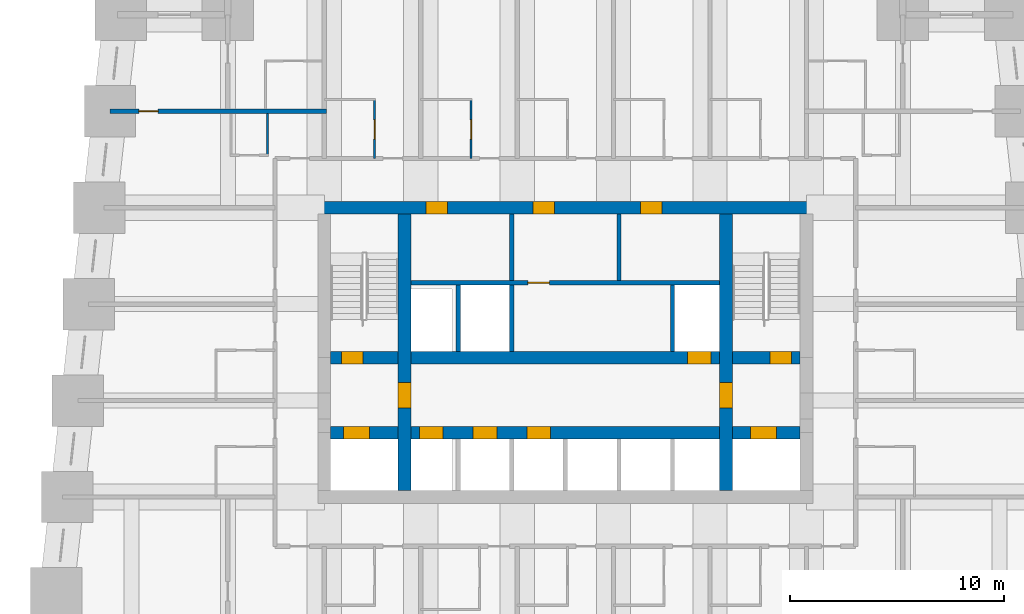
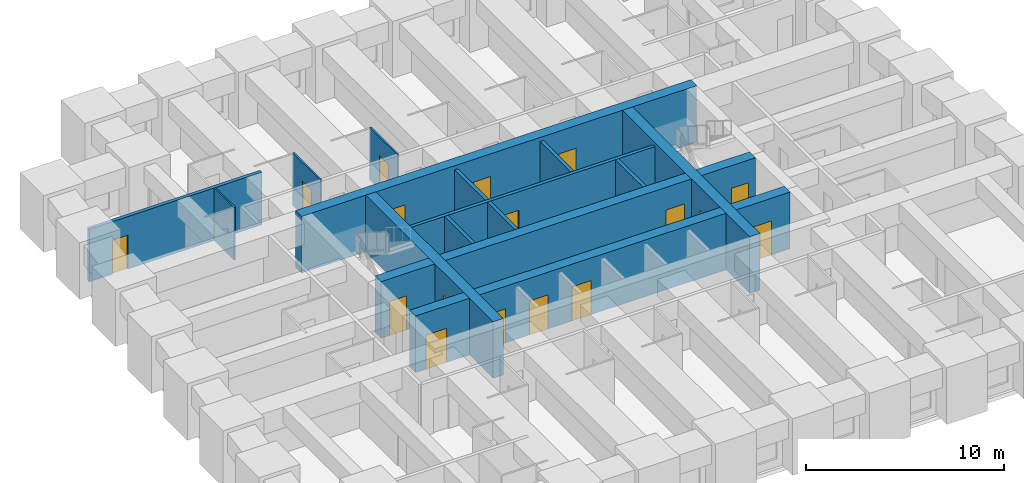
# One storey, part 4 of 8: 17 doors, 15 walls, 17 openings.
"""IFC4 building model written with IfcOpenShell, lengths in metres."""

from ifc_helpers import new_model, si_unit, direction, frame, frame_2d, origin, place, context, subcontext, project, spatial, rectangle, extrude, material, layer, layer_set, type_object, element, fill, save


model = new_model("IFC4")

# Units and contexts
model_context = context("Model", 3, precision=1e-05, world=origin(), true_north=direction((0.0, 1.0)))
body_context = subcontext(model_context, "Body", "Model", "MODEL_VIEW")
ifc_project = project(units=[si_unit("LENGTHUNIT", "METRE"), si_unit("AREAUNIT", "SQUARE_METRE"), si_unit("VOLUMEUNIT", "CUBIC_METRE"), si_unit("PLANEANGLEUNIT", "RADIAN"), si_unit("MASSUNIT", "GRAM", prefix="KILO")], contexts=[model_context])

# Site, building, storey
site_placement = place(None, origin())
site = spatial("IfcSite", under=ifc_project, at=site_placement, CompositionType="ELEMENT")
building_placement = place(site_placement, origin())
building = spatial("IfcBuilding", under=site, at=building_placement, Name="Kilele Tower Hotel", CompositionType="ELEMENT")
storey_placement = place(building_placement, frame((0.0, 0.0, 29.699951171875)))
storey = spatial("IfcBuildingStorey", under=building, at=storey_placement, Name="L05", CompositionType="ELEMENT", Elevation=29.699951171875)

# Wall, opening, door
ifc_material_1 = material(Name="Moisture-resistant board")
ifc_layer_1 = layer(ifc_material_1, 0.10009765625)
ifc_layer_set_1 = layer_set([ifc_layer_1], Name="Moisture-resistant board")
wall_type_1 = type_object("IfcWallType", Name="Bathroom partition 100", PredefinedType="PLUMBINGWALL", material=ifc_layer_set_1)
wall_1_placement = place(storey_placement, frame((15.85009765625, 29.300048828125, 0.0), z_axis=(0.0, 0.0, 1.0), x_axis=(0.0, 1.0, 0.0)))
wall_1 = element("IfcWall", 1, at=wall_1_placement, inside=storey, type_object=wall_type_1, Name="Bathroom partition 100 L05", PredefinedType="PLUMBINGWALL", context=body_context, shape_type="SweptSolid", body=[
    extrude(rectangle(XDim=2.800048828125, YDim=0.10009765625, at=frame_2d((1.39990234375, 0.0))), origin(), (0.0, 0.0, 1.0), 3.25),
])
opening_1_placement = place(wall_1_placement, frame((1.7998046875, 0.0, 0.0), z_axis=(0.0, 0.0, 1.0), x_axis=(-1.0, 0.0, 0.0)))
opening_1 = element("IfcOpeningElement", 2, at=opening_1_placement, cuts=wall_1, Name="Opening D2A", PredefinedType="OPENING", context=body_context, shape_type="SweptSolid", body=[
    extrude(rectangle(XDim=0.89990234375, YDim=2.10009765625, at=frame_2d((0.449951171875, 1.050048828125))), frame((0.0, 0.06005859375, 0.0), z_axis=(0.0, -1.0, 0.0), x_axis=(1.0, 0.0, 0.0)), (0.0, 0.0, 1.0), 0.1201171875),
])
ifc_material_2 = material(Name="Timber door leaf in hardwood frame", Category="wood")
door_type_1 = type_object("IfcDoorType", Name="Bathroom door 900", OperationType="SINGLE_SWING_LEFT", PredefinedType="DOOR", material=ifc_material_2)
door_1_placement = place(opening_1_placement, origin())
door_1 = element("IfcDoor", 3, at=door_1_placement, inside=storey, type_object=door_type_1, Name="Bathroom door 0509B", OperationType="SINGLE_SWING_RIGHT", OverallHeight=2.10009765625, OverallWidth=0.89990234375, PredefinedType="DOOR", context=body_context, shape_type="SweptSolid", body=[
    extrude(rectangle(XDim=0.89990234375, YDim=2.10009765625, at=frame_2d((0.449951171875, 1.050048828125))), frame((0.0, 0.02490234375, 0.0), z_axis=(0.0, -1.0, 0.0), x_axis=(1.0, 0.0, 0.0)), (0.0, 0.0, 1.0), 0.050048828125),
])
fill(opening_1, door_1)

wall_2_placement = place(storey_placement, frame((20.35009765625, 29.300048828125, 0.0), z_axis=(0.0, 0.0, 1.0), x_axis=(0.0, 1.0, 0.0)))
wall_2 = element("IfcWall", 4, at=wall_2_placement, inside=storey, type_object=wall_type_1, Name="Bathroom partition 100 L05", PredefinedType="PLUMBINGWALL", context=body_context, shape_type="SweptSolid", body=[
    extrude(rectangle(XDim=2.800048828125, YDim=0.10009765625, at=frame_2d((1.39990234375, 0.0))), origin(), (0.0, 0.0, 1.0), 3.25),
])
opening_2_placement = place(wall_2_placement, frame((1.7998046875, 0.0, 0.0), z_axis=(0.0, 0.0, 1.0), x_axis=(-1.0, 0.0, 0.0)))
opening_2 = element("IfcOpeningElement", 5, at=opening_2_placement, cuts=wall_2, Name="Opening D2A", PredefinedType="OPENING", context=body_context, shape_type="SweptSolid", body=[
    extrude(rectangle(XDim=0.89990234375, YDim=2.10009765625, at=frame_2d((0.449951171875, 1.050048828125))), frame((0.0, 0.06005859375, 0.0), z_axis=(0.0, -1.0, 0.0), x_axis=(1.0, 0.0, 0.0)), (0.0, 0.0, 1.0), 0.1201171875),
])
door_2_placement = place(opening_2_placement, origin())
door_2 = element("IfcDoor", 6, at=door_2_placement, inside=storey, type_object=door_type_1, Name="Bathroom door 0510B", OperationType="SINGLE_SWING_RIGHT", OverallHeight=2.10009765625, OverallWidth=0.89990234375, PredefinedType="DOOR", context=body_context, shape_type="SweptSolid", body=[
    extrude(rectangle(XDim=0.89990234375, YDim=2.10009765625, at=frame_2d((0.449951171875, 1.050048828125))), frame((0.0, 0.02490234375, 0.0), z_axis=(0.0, -1.0, 0.0), x_axis=(1.0, 0.0, 0.0)), (0.0, 0.0, 1.0), 0.050048828125),
])
fill(opening_2, door_2)

# Wall
wall_3_placement = place(storey_placement, frame((10.85009765625, 31.39990234375, 0.0), z_axis=(0.0, 0.0, 1.0), x_axis=(0.0, -1.0, 0.0)))
element("IfcWall", 7, at=wall_3_placement, inside=storey, type_object=wall_type_1, Name="Bathroom partition 100 L05", PredefinedType="PLUMBINGWALL", context=body_context, shape_type="SweptSolid", body=[
    extrude(rectangle(XDim=2.0, YDim=0.10009765625, at=frame_2d((1.0, 0.0))), origin(), (0.0, 0.0, 1.0), 3.25),
])

# Wall, openings, doors
ifc_material_3 = material(Name="Concrete C60/75", Category="concrete")
ifc_layer_2 = layer(ifc_material_3, 0.60009765625)
ifc_layer_set_2 = layer_set([ifc_layer_2], Name="Concrete C60/75")
wall_type_2 = type_object("IfcWallType", Name="Core wall 600 C60/75", PredefinedType="SHEAR", material=ifc_layer_set_2)
wall_4_placement = place(storey_placement, frame((36.300048828125, 27.0, 0.0), z_axis=(0.0, 0.0, 1.0), x_axis=(-1.0, 0.0, 0.0)))
wall_4 = element("IfcWall", 8, at=wall_4_placement, inside=storey, type_object=wall_type_2, Name="Core wall N L05", PredefinedType="SHEAR", context=body_context, shape_type="SweptSolid", body=[
    extrude(rectangle(XDim=23.10009765625, YDim=0.60009765625, at=frame_2d((11.550048828125, 0.0))), origin(), (0.0, 0.0, 1.0), 3.5),
])
opening_3_placement = place(wall_4_placement, frame((17.050048828125, 0.0, 0.0)))
opening_3 = element("IfcOpeningElement", 9, at=opening_3_placement, cuts=wall_4, Name="Opening D6", PredefinedType="OPENING", context=body_context, shape_type="SweptSolid", body=[
    extrude(rectangle(XDim=1.0, YDim=2.10009765625, at=frame_2d((0.5, 1.050048828125))), frame((0.0, 0.31005859375, 0.0), z_axis=(0.0, -1.0, 0.0), x_axis=(1.0, 0.0, 0.0)), (0.0, 0.0, 1.0), 0.6201171875),
])
opening_4_placement = place(wall_4_placement, frame((12.050048828125, 0.0, 0.0)))
opening_4 = element("IfcOpeningElement", 10, at=opening_4_placement, cuts=wall_4, Name="Opening D6", PredefinedType="OPENING", context=body_context, shape_type="SweptSolid", body=[
    extrude(rectangle(XDim=1.0, YDim=2.10009765625, at=frame_2d((0.5, 1.050048828125))), frame((0.0, 0.31005859375, 0.0), z_axis=(0.0, -1.0, 0.0), x_axis=(1.0, 0.0, 0.0)), (0.0, 0.0, 1.0), 0.6201171875),
])
opening_5_placement = place(wall_4_placement, frame((7.050048828125, 0.0, 0.0)))
opening_5 = element("IfcOpeningElement", 11, at=opening_5_placement, cuts=wall_4, Name="Opening D6", PredefinedType="OPENING", context=body_context, shape_type="SweptSolid", body=[
    extrude(rectangle(XDim=1.0, YDim=2.10009765625, at=frame_2d((0.5, 1.050048828125))), frame((0.0, 0.31005859375, 0.0), z_axis=(0.0, -1.0, 0.0), x_axis=(1.0, 0.0, 0.0)), (0.0, 0.0, 1.0), 0.6201171875),
])
ifc_material_4 = material(Name="Timber door leaf in hardwood frame", Category="wood")
door_type_2 = type_object("IfcDoorType", Name="Riser door 1000", OperationType="SINGLE_SWING_LEFT", PredefinedType="DOOR", material=ifc_material_4)
door_3_placement = place(opening_3_placement, origin())
door_3 = element("IfcDoor", 12, at=door_3_placement, inside=storey, type_object=door_type_2, Name="Service riser door L05", OperationType="SINGLE_SWING_RIGHT", OverallHeight=2.10009765625, OverallWidth=1.0, PredefinedType="DOOR", context=body_context, shape_type="SweptSolid", body=[
    extrude(rectangle(XDim=1.0, YDim=2.10009765625, at=frame_2d((0.5, 1.050048828125))), frame((0.0, 0.2998046875, 0.0), z_axis=(0.0, -1.0, 0.0), x_axis=(1.0, 0.0, 0.0)), (0.0, 0.0, 1.0), 0.599609375),
])
fill(opening_3, door_3)
door_4_placement = place(opening_4_placement, origin())
door_4 = element("IfcDoor", 13, at=door_4_placement, inside=storey, type_object=door_type_2, Name="Linen store door L05", OperationType="SINGLE_SWING_RIGHT", OverallHeight=2.10009765625, OverallWidth=1.0, PredefinedType="DOOR", context=body_context, shape_type="SweptSolid", body=[
    extrude(rectangle(XDim=1.0, YDim=2.10009765625, at=frame_2d((0.5, 1.050048828125))), frame((0.0, 0.2998046875, 0.0), z_axis=(0.0, -1.0, 0.0), x_axis=(1.0, 0.0, 0.0)), (0.0, 0.0, 1.0), 0.599609375),
])
fill(opening_4, door_4)
door_5_placement = place(opening_5_placement, origin())
door_5 = element("IfcDoor", 14, at=door_5_placement, inside=storey, type_object=door_type_2, Name="Electrical riser door L05", OperationType="SINGLE_SWING_RIGHT", OverallHeight=2.10009765625, OverallWidth=1.0, PredefinedType="DOOR", context=body_context, shape_type="SweptSolid", body=[
    extrude(rectangle(XDim=1.0, YDim=2.10009765625, at=frame_2d((0.5, 1.050048828125))), frame((0.0, 0.2998046875, 0.0), z_axis=(0.0, -1.0, 0.0), x_axis=(1.0, 0.0, 0.0)), (0.0, 0.0, 1.0), 0.599609375),
])
fill(opening_5, door_5)

# Wall, opening, door
wall_5_placement = place(storey_placement, frame((17.25, 13.800048828125, 0.0), z_axis=(0.0, 0.0, 1.0), x_axis=(0.0, 1.0, 0.0)))
wall_5 = element("IfcWall", 15, at=wall_5_placement, inside=storey, type_object=wall_type_2, Name="Core wall IW L05", PredefinedType="SHEAR", context=body_context, shape_type="SweptSolid", body=[
    extrude(rectangle(XDim=12.89990234375, YDim=0.60009765625, at=frame_2d((6.449951171875, 0.0))), origin(), (0.0, 0.0, 1.0), 3.5),
])
opening_6_placement = place(wall_5_placement, frame((3.85009765625, 0.0, 0.0)))
opening_6 = element("IfcOpeningElement", 16, at=opening_6_placement, cuts=wall_5, Name="Opening D4", PredefinedType="OPENING", context=body_context, shape_type="SweptSolid", body=[
    extrude(rectangle(XDim=1.199951171875, YDim=2.10009765625, at=frame_2d((0.60009765625, 1.050048828125))), frame((0.0, 0.31005859375, 0.0), z_axis=(0.0, -1.0, 0.0), x_axis=(1.0, 0.0, 0.0)), (0.0, 0.0, 1.0), 0.6201171875),
])
ifc_material_5 = material(Name="Timber door leaf in hardwood frame", Category="wood")
door_type_3 = type_object("IfcDoorType", Name="Firefighting lobby door 1200", OperationType="SINGLE_SWING_LEFT", PredefinedType="DOOR", material=ifc_material_5)
door_6_placement = place(opening_6_placement, origin())
door_6 = element("IfcDoor", 17, at=door_6_placement, inside=storey, type_object=door_type_3, Name="Lobby door L05", OperationType="SINGLE_SWING_LEFT", OverallHeight=2.10009765625, OverallWidth=1.199951171875, PredefinedType="DOOR", context=body_context, shape_type="SweptSolid", body=[
    extrude(rectangle(XDim=1.199951171875, YDim=2.10009765625, at=frame_2d((0.60009765625, 1.050048828125))), frame((0.0, 0.2998046875, 0.0), z_axis=(0.0, -1.0, 0.0), x_axis=(1.0, 0.0, 0.0)), (0.0, 0.0, 1.0), 0.599609375),
])
fill(opening_6, door_6)

wall_6_placement = place(storey_placement, frame((32.25, 13.800048828125, 0.0), z_axis=(0.0, 0.0, 1.0), x_axis=(0.0, 1.0, 0.0)))
wall_6 = element("IfcWall", 18, at=wall_6_placement, inside=storey, type_object=wall_type_2, Name="Core wall IE L05", PredefinedType="SHEAR", context=body_context, shape_type="SweptSolid", body=[
    extrude(rectangle(XDim=12.89990234375, YDim=0.60009765625, at=frame_2d((6.449951171875, 0.0))), origin(), (0.0, 0.0, 1.0), 3.5),
])
opening_7_placement = place(wall_6_placement, frame((5.050048828125, 0.0, 0.0), z_axis=(0.0, 0.0, 1.0), x_axis=(-1.0, 0.0, 0.0)))
opening_7 = element("IfcOpeningElement", 19, at=opening_7_placement, cuts=wall_6, Name="Opening D4", PredefinedType="OPENING", context=body_context, shape_type="SweptSolid", body=[
    extrude(rectangle(XDim=1.199951171875, YDim=2.10009765625, at=frame_2d((0.60009765625, 1.050048828125))), frame((0.0, 0.31005859375, 0.0), z_axis=(0.0, -1.0, 0.0), x_axis=(1.0, 0.0, 0.0)), (0.0, 0.0, 1.0), 0.6201171875),
])
door_7_placement = place(opening_7_placement, origin())
door_7 = element("IfcDoor", 20, at=door_7_placement, inside=storey, type_object=door_type_3, Name="Lobby door L05", OperationType="SINGLE_SWING_RIGHT", OverallHeight=2.10009765625, OverallWidth=1.199951171875, PredefinedType="DOOR", context=body_context, shape_type="SweptSolid", body=[
    extrude(rectangle(XDim=1.199951171875, YDim=2.10009765625, at=frame_2d((0.60009765625, 1.050048828125))), frame((0.0, 0.2998046875, 0.0), z_axis=(0.0, -1.0, 0.0), x_axis=(1.0, 0.0, 0.0)), (0.0, 0.0, 1.0), 0.599609375),
])
fill(opening_7, door_7)

# Wall, openings, doors
wall_7_placement = place(storey_placement, frame((13.800048828125, 16.5, 0.0), z_axis=(0.0, 0.0, 1.0), x_axis=(1.0, 0.0, 0.0)))
wall_7 = element("IfcWall", 21, at=wall_7_placement, inside=storey, type_object=wall_type_2, Name="Core wall LS L05", PredefinedType="SHEAR", context=body_context, shape_type="SweptSolid", body=[
    extrude(rectangle(XDim=21.89990234375, YDim=0.60009765625, at=frame_2d((10.949951171875, 0.0))), origin(), (0.0, 0.0, 1.0), 3.5),
])
opening_8_placement = place(wall_7_placement, frame((4.14990234375, 0.0, 0.0)))
opening_8 = element("IfcOpeningElement", 22, at=opening_8_placement, cuts=wall_7, Name="Opening LD1", PredefinedType="OPENING", context=body_context, shape_type="SweptSolid", body=[
    extrude(rectangle(XDim=1.10009765625, YDim=2.10009765625, at=frame_2d((0.550048828125, 1.050048828125))), frame((0.0, 0.31005859375, 0.0), z_axis=(0.0, -1.0, 0.0), x_axis=(1.0, 0.0, 0.0)), (0.0, 0.0, 1.0), 0.6201171875),
])
opening_9_placement = place(wall_7_placement, frame((6.64990234375, 0.0, 0.0)))
opening_9 = element("IfcOpeningElement", 23, at=opening_9_placement, cuts=wall_7, Name="Opening LD1", PredefinedType="OPENING", context=body_context, shape_type="SweptSolid", body=[
    extrude(rectangle(XDim=1.10009765625, YDim=2.10009765625, at=frame_2d((0.550048828125, 1.050048828125))), frame((0.0, 0.31005859375, 0.0), z_axis=(0.0, -1.0, 0.0), x_axis=(1.0, 0.0, 0.0)), (0.0, 0.0, 1.0), 0.6201171875),
])
opening_10_placement = place(wall_7_placement, frame((9.14990234375, 0.0, 0.0)))
opening_10 = element("IfcOpeningElement", 24, at=opening_10_placement, cuts=wall_7, Name="Opening LD1", PredefinedType="OPENING", context=body_context, shape_type="SweptSolid", body=[
    extrude(rectangle(XDim=1.10009765625, YDim=2.10009765625, at=frame_2d((0.550048828125, 1.050048828125))), frame((0.0, 0.31005859375, 0.0), z_axis=(0.0, -1.0, 0.0), x_axis=(1.0, 0.0, 0.0)), (0.0, 0.0, 1.0), 0.6201171875),
])
opening_11_placement = place(wall_7_placement, frame((0.60009765625, 0.0, 0.0)))
opening_11 = element("IfcOpeningElement", 25, at=opening_11_placement, cuts=wall_7, Name="Opening LD2", PredefinedType="OPENING", context=body_context, shape_type="SweptSolid", body=[
    extrude(rectangle(XDim=1.199951171875, YDim=2.10009765625, at=frame_2d((0.60009765625, 1.050048828125))), frame((0.0, 0.31005859375, 0.0), z_axis=(0.0, -1.0, 0.0), x_axis=(1.0, 0.0, 0.0)), (0.0, 0.0, 1.0), 0.6201171875),
])
opening_12_placement = place(wall_7_placement, frame((19.60009765625, 0.0, 0.0)))
opening_12 = element("IfcOpeningElement", 26, at=opening_12_placement, cuts=wall_7, Name="Opening LD2", PredefinedType="OPENING", context=body_context, shape_type="SweptSolid", body=[
    extrude(rectangle(XDim=1.199951171875, YDim=2.10009765625, at=frame_2d((0.60009765625, 1.050048828125))), frame((0.0, 0.31005859375, 0.0), z_axis=(0.0, -1.0, 0.0), x_axis=(1.0, 0.0, 0.0)), (0.0, 0.0, 1.0), 0.6201171875),
])
ifc_material_6 = material(Name="Steel lift landing door", Category="steel")
door_type_4 = type_object("IfcDoorType", Name="Firefighting lift landing door 1200", OperationType="SLIDING_TO_LEFT", PredefinedType="DOOR", material=ifc_material_6)
door_8_placement = place(opening_11_placement, origin())
door_8 = element("IfcDoor", 27, at=door_8_placement, inside=storey, type_object=door_type_4, Name="Landing door FFW L05", OperationType="SLIDING_TO_LEFT", OverallHeight=2.10009765625, OverallWidth=1.199951171875, PredefinedType="DOOR", context=body_context, shape_type="SweptSolid", body=[
    extrude(rectangle(XDim=1.199951171875, YDim=2.10009765625, at=frame_2d((0.60009765625, 1.050048828125))), frame((0.0, 0.2998046875, 0.0), z_axis=(0.0, -1.0, 0.0), x_axis=(1.0, 0.0, 0.0)), (0.0, 0.0, 1.0), 0.599609375),
])
fill(opening_11, door_8)
door_9_placement = place(opening_12_placement, origin())
door_9 = element("IfcDoor", 28, at=door_9_placement, inside=storey, type_object=door_type_4, Name="Landing door FFE L05", OperationType="SLIDING_TO_LEFT", OverallHeight=2.10009765625, OverallWidth=1.199951171875, PredefinedType="DOOR", context=body_context, shape_type="SweptSolid", body=[
    extrude(rectangle(XDim=1.199951171875, YDim=2.10009765625, at=frame_2d((0.60009765625, 1.050048828125))), frame((0.0, 0.2998046875, 0.0), z_axis=(0.0, -1.0, 0.0), x_axis=(1.0, 0.0, 0.0)), (0.0, 0.0, 1.0), 0.599609375),
])
fill(opening_12, door_9)
ifc_material_7 = material(Name="Steel lift landing door", Category="steel")
door_type_5 = type_object("IfcDoorType", Name="Lift landing door 1100", OperationType="SLIDING_TO_LEFT", PredefinedType="DOOR", material=ifc_material_7)
door_10_placement = place(opening_8_placement, origin())
door_10 = element("IfcDoor", 29, at=door_10_placement, inside=storey, type_object=door_type_5, Name="Landing door L1 L05", OperationType="SLIDING_TO_LEFT", OverallHeight=2.10009765625, OverallWidth=1.10009765625, PredefinedType="DOOR", context=body_context, shape_type="SweptSolid", body=[
    extrude(rectangle(XDim=1.10009765625, YDim=2.10009765625, at=frame_2d((0.550048828125, 1.050048828125))), frame((0.0, 0.2998046875, 0.0), z_axis=(0.0, -1.0, 0.0), x_axis=(1.0, 0.0, 0.0)), (0.0, 0.0, 1.0), 0.599609375),
])
fill(opening_8, door_10)
door_11_placement = place(opening_9_placement, origin())
door_11 = element("IfcDoor", 30, at=door_11_placement, inside=storey, type_object=door_type_5, Name="Landing door L2 L05", OperationType="SLIDING_TO_LEFT", OverallHeight=2.10009765625, OverallWidth=1.10009765625, PredefinedType="DOOR", context=body_context, shape_type="SweptSolid", body=[
    extrude(rectangle(XDim=1.10009765625, YDim=2.10009765625, at=frame_2d((0.550048828125, 1.050048828125))), frame((0.0, 0.2998046875, 0.0), z_axis=(0.0, -1.0, 0.0), x_axis=(1.0, 0.0, 0.0)), (0.0, 0.0, 1.0), 0.599609375),
])
fill(opening_9, door_11)
door_12_placement = place(opening_10_placement, origin())
door_12 = element("IfcDoor", 31, at=door_12_placement, inside=storey, type_object=door_type_5, Name="Landing door L3 L05", OperationType="SLIDING_TO_LEFT", OverallHeight=2.10009765625, OverallWidth=1.10009765625, PredefinedType="DOOR", context=body_context, shape_type="SweptSolid", body=[
    extrude(rectangle(XDim=1.10009765625, YDim=2.10009765625, at=frame_2d((0.550048828125, 1.050048828125))), frame((0.0, 0.2998046875, 0.0), z_axis=(0.0, -1.0, 0.0), x_axis=(1.0, 0.0, 0.0)), (0.0, 0.0, 1.0), 0.599609375),
])
fill(opening_10, door_12)

wall_8_placement = place(storey_placement, frame((13.800048828125, 20.0, 0.0), z_axis=(0.0, 0.0, 1.0), x_axis=(1.0, 0.0, 0.0)))
wall_8 = element("IfcWall", 32, at=wall_8_placement, inside=storey, type_object=wall_type_2, Name="Core wall LN L05", PredefinedType="SHEAR", context=body_context, shape_type="SweptSolid", body=[
    extrude(rectangle(XDim=21.89990234375, YDim=0.60009765625, at=frame_2d((10.949951171875, 0.0))), origin(), (0.0, 0.0, 1.0), 3.5),
])
opening_13_placement = place(wall_8_placement, frame((0.5, 0.0, 0.0)))
opening_13 = element("IfcOpeningElement", 33, at=opening_13_placement, cuts=wall_8, Name="Opening D5", PredefinedType="OPENING", context=body_context, shape_type="SweptSolid", body=[
    extrude(rectangle(XDim=1.0, YDim=2.10009765625, at=frame_2d((0.5, 1.050048828125))), frame((0.0, 0.31005859375, 0.0), z_axis=(0.0, -1.0, 0.0), x_axis=(1.0, 0.0, 0.0)), (0.0, 0.0, 1.0), 0.6201171875),
])
opening_14_placement = place(wall_8_placement, frame((20.5, 0.0, 0.0)))
opening_14 = element("IfcOpeningElement", 34, at=opening_14_placement, cuts=wall_8, Name="Opening D5", PredefinedType="OPENING", context=body_context, shape_type="SweptSolid", body=[
    extrude(rectangle(XDim=1.0, YDim=2.10009765625, at=frame_2d((0.5, 1.050048828125))), frame((0.0, 0.31005859375, 0.0), z_axis=(0.0, -1.0, 0.0), x_axis=(1.0, 0.0, 0.0)), (0.0, 0.0, 1.0), 0.6201171875),
])
opening_15_placement = place(wall_8_placement, frame((16.64990234375, 0.0, 0.0)))
opening_15 = element("IfcOpeningElement", 35, at=opening_15_placement, cuts=wall_8, Name="Opening LD1", PredefinedType="OPENING", context=body_context, shape_type="SweptSolid", body=[
    extrude(rectangle(XDim=1.10009765625, YDim=2.10009765625, at=frame_2d((0.550048828125, 1.050048828125))), frame((0.0, 0.31005859375, 0.0), z_axis=(0.0, -1.0, 0.0), x_axis=(1.0, 0.0, 0.0)), (0.0, 0.0, 1.0), 0.6201171875),
])
door_13_placement = place(opening_15_placement, origin())
door_13 = element("IfcDoor", 36, at=door_13_placement, inside=storey, type_object=door_type_5, Name="Landing door G1 L05", OperationType="SLIDING_TO_LEFT", OverallHeight=2.10009765625, OverallWidth=1.10009765625, PredefinedType="DOOR", context=body_context, shape_type="SweptSolid", body=[
    extrude(rectangle(XDim=1.10009765625, YDim=2.10009765625, at=frame_2d((0.550048828125, 1.050048828125))), frame((0.0, 0.2998046875, 0.0), z_axis=(0.0, -1.0, 0.0), x_axis=(1.0, 0.0, 0.0)), (0.0, 0.0, 1.0), 0.599609375),
])
fill(opening_15, door_13)
ifc_material_8 = material(Name="Timber door leaf in hardwood frame", Category="wood")
door_type_6 = type_object("IfcDoorType", Name="Stair door 1000", OperationType="SINGLE_SWING_LEFT", PredefinedType="DOOR", material=ifc_material_8)
door_14_placement = place(opening_13_placement, origin())
door_14 = element("IfcDoor", 37, at=door_14_placement, inside=storey, type_object=door_type_6, Name="Stair 1 door L05", OperationType="SINGLE_SWING_LEFT", OverallHeight=2.10009765625, OverallWidth=1.0, PredefinedType="DOOR", context=body_context, shape_type="SweptSolid", body=[
    extrude(rectangle(XDim=1.0, YDim=2.10009765625, at=frame_2d((0.5, 1.050048828125))), frame((0.0, 0.2998046875, 0.0), z_axis=(0.0, -1.0, 0.0), x_axis=(1.0, 0.0, 0.0)), (0.0, 0.0, 1.0), 0.599609375),
])
fill(opening_13, door_14)
door_15_placement = place(opening_14_placement, origin())
door_15 = element("IfcDoor", 38, at=door_15_placement, inside=storey, type_object=door_type_6, Name="Stair 2 door L05", OperationType="SINGLE_SWING_RIGHT", OverallHeight=2.10009765625, OverallWidth=1.0, PredefinedType="DOOR", context=body_context, shape_type="SweptSolid", body=[
    extrude(rectangle(XDim=1.0, YDim=2.10009765625, at=frame_2d((0.5, 1.050048828125))), frame((0.0, 0.2998046875, 0.0), z_axis=(0.0, -1.0, 0.0), x_axis=(1.0, 0.0, 0.0)), (0.0, 0.0, 1.0), 0.599609375),
])
fill(opening_14, door_15)

# Wall, opening, door
ifc_material_9 = material(Name="Blockwork, plastered both sides", Category="masonry")
ifc_layer_3 = layer(ifc_material_9, 0.199951171875)
ifc_layer_set_3 = layer_set([ifc_layer_3], Name="Blockwork, plastered both sides")
wall_type_3 = type_object("IfcWallType", Name="Party wall 200", PredefinedType="PARTITIONING", material=ifc_layer_set_3)
wall_9_placement = place(storey_placement, frame((13.60009765625, 31.5, 0.0), z_axis=(0.0, 0.0, 1.0), x_axis=(-1.0, 0.0, 0.0)))
wall_9 = element("IfcWall", 39, at=wall_9_placement, inside=storey, type_object=wall_type_3, Name="Party wall 200 L05", PredefinedType="PARTITIONING", context=body_context, shape_type="SweptSolid", body=[
    extrude(rectangle(XDim=10.09912109375, YDim=0.199951171875, at=frame_2d((5.049560546875, 0.0))), origin(), (0.0, 0.0, 1.0), 3.25),
])
opening_16_placement = place(wall_9_placement, frame((8.7490234375, 0.0, 0.0), z_axis=(0.0, 0.0, 1.0), x_axis=(-1.0, 0.0, 0.0)))
opening_16 = element("IfcOpeningElement", 40, at=opening_16_placement, cuts=wall_9, Name="Opening D3", PredefinedType="OPENING", context=body_context, shape_type="SweptSolid", body=[
    extrude(rectangle(XDim=0.89990234375, YDim=2.10009765625, at=frame_2d((0.449951171875, 1.050048828125))), frame((0.0, 0.10986328125, 0.0), z_axis=(0.0, -1.0, 0.0), x_axis=(1.0, 0.0, 0.0)), (0.0, 0.0, 1.0), 0.219970703125),
])
ifc_material_10 = material(Name="Timber door leaf in hardwood frame", Category="wood")
door_type_7 = type_object("IfcDoorType", Name="Suite internal door 900", OperationType="SINGLE_SWING_LEFT", PredefinedType="DOOR", material=ifc_material_10)
door_16_placement = place(opening_16_placement, origin())
door_16 = element("IfcDoor", 41, at=door_16_placement, inside=storey, type_object=door_type_7, Name="Suite door 0527", OperationType="SINGLE_SWING_LEFT", OverallHeight=2.10009765625, OverallWidth=0.89990234375, PredefinedType="DOOR", context=body_context, shape_type="SweptSolid", body=[
    extrude(rectangle(XDim=0.89990234375, YDim=2.10009765625, at=frame_2d((0.449951171875, 1.050048828125))), frame((0.0, 0.02490234375, 0.0), z_axis=(0.0, -1.0, 0.0), x_axis=(1.0, 0.0, 0.0)), (0.0, 0.0, 1.0), 0.050048828125),
])
fill(opening_16, door_16)

# Walls
ifc_material_11 = material(Name="Blockwork, fire-rated", Category="masonry")
ifc_layer_4 = layer(ifc_material_11, 0.199951171875)
ifc_layer_set_4 = layer_set([ifc_layer_4], Name="Blockwork, fire-rated")
wall_type_4 = type_object("IfcWallType", Name="Shaft wall 200", PredefinedType="PARTITIONING", material=ifc_layer_set_4)
for number, where, z_axis, x_axis, name in (
    (42, (19.75, 20.300048828125, 0.0), (0.0, 0.0, 1.0), (0.0, 1.0, 0.0), "Shaft wall 200 L05"),
    (43, (22.25, 20.300048828125, 0.0), (0.0, 0.0, 1.0), (0.0, 1.0, 0.0), "Shaft wall 200 L05"),
    (44, (29.75, 20.300048828125, 0.0), (0.0, 0.0, 1.0), (0.0, 1.0, 0.0), "Shaft wall 200 L05"),
):
    element("IfcWall", number, at=place(storey_placement, frame(where, z_axis=z_axis, x_axis=x_axis)), inside=storey, type_object=wall_type_4, Name=name, PredefinedType="PARTITIONING", context=body_context, shape_type="SweptSolid", body=[
        extrude(rectangle(XDim=3.099853515625, YDim=0.199951171875, at=frame_2d((1.5498046875, 0.0))), origin(), (0.0, 0.0, 1.0), 3.25),
    ])

# Wall, opening, door
wall_10_placement = place(storey_placement, frame((17.550048828125, 23.5, 0.0), z_axis=(0.0, 0.0, 1.0), x_axis=(1.0, 0.0, 0.0)))
wall_10 = element("IfcWall", 45, at=wall_10_placement, inside=storey, type_object=wall_type_4, Name="Shaft wall 200 L05", PredefinedType="PARTITIONING", context=body_context, shape_type="SweptSolid", body=[
    extrude(rectangle(XDim=14.39990234375, YDim=0.199951171875, at=frame_2d((7.199951171875, 0.0))), origin(), (0.0, 0.0, 1.0), 3.25),
])
opening_17_placement = place(wall_10_placement, frame((5.449951171875, 0.0, 0.0)))
opening_17 = element("IfcOpeningElement", 46, at=opening_17_placement, cuts=wall_10, Name="Opening D11", PredefinedType="OPENING", context=body_context, shape_type="SweptSolid", body=[
    extrude(rectangle(XDim=1.0, YDim=2.10009765625, at=frame_2d((0.5, 1.050048828125))), frame((0.0, 0.10986328125, 0.0), z_axis=(0.0, -1.0, 0.0), x_axis=(1.0, 0.0, 0.0)), (0.0, 0.0, 1.0), 0.219970703125),
])
ifc_material_12 = material(Name="Timber door leaf in hardwood frame", Category="wood")
door_type_8 = type_object("IfcDoorType", Name="Core store door 1000", OperationType="SINGLE_SWING_LEFT", PredefinedType="DOOR", material=ifc_material_12)
door_17_placement = place(opening_17_placement, origin())
door_17 = element("IfcDoor", 47, at=door_17_placement, inside=storey, type_object=door_type_8, Name="Core room door H1", OperationType="SINGLE_SWING_LEFT", OverallHeight=2.10009765625, OverallWidth=1.0, PredefinedType="DOOR", context=body_context, shape_type="SweptSolid", body=[
    extrude(rectangle(XDim=1.0, YDim=2.10009765625, at=frame_2d((0.5, 1.050048828125))), frame((0.0, 0.02490234375, 0.0), z_axis=(0.0, -1.0, 0.0), x_axis=(1.0, 0.0, 0.0)), (0.0, 0.0, 1.0), 0.050048828125),
])
fill(opening_17, door_17)

# Walls
for number, where, z_axis, x_axis, name in (
    (48, (22.25, 23.60009765625, 0.0), (0.0, 0.0, 1.0), (0.0, 1.0, 0.0), "Shaft wall 200 L05"),
    (49, (27.25, 23.60009765625, 0.0), (0.0, 0.0, 1.0), (0.0, 1.0, 0.0), "Shaft wall 200 L05"),
):
    element("IfcWall", number, at=place(storey_placement, frame(where, z_axis=z_axis, x_axis=x_axis)), inside=storey, type_object=wall_type_4, Name=name, PredefinedType="PARTITIONING", context=body_context, shape_type="SweptSolid", body=[
        extrude(rectangle(XDim=3.099853515625, YDim=0.199951171875, at=frame_2d((1.5498046875, 0.0))), origin(), (0.0, 0.0, 1.0), 3.25),
    ])

save(model, "model.ifc")
